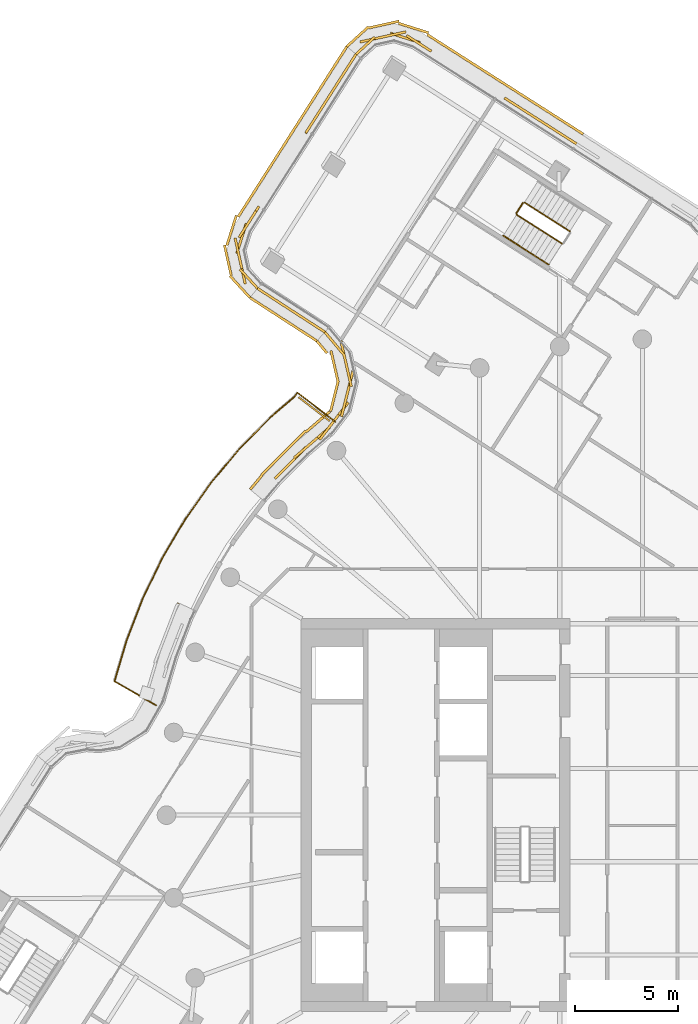
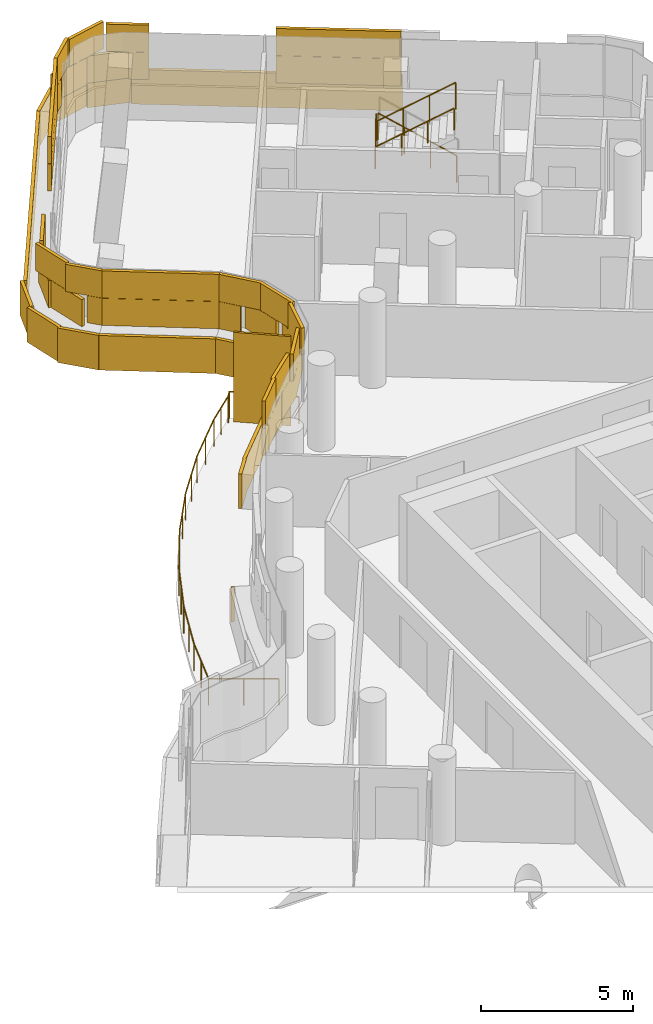
# One storey, part 25 of 27: 5 railings, 4 coverings, 1 shading device.
"""IFC4 building model written with IfcOpenShell, lengths in metres."""

from ifc_helpers import new_model, si_unit, direction, frame, origin, origin_2d, place, context, subcontext, project, spatial, rectangle, circle, extrude, material, layer, layer_set, type_object, element, save


model = new_model("IFC4")

# Units and contexts
model_context = context("Model", 3, precision=1e-05, world=origin(), true_north=direction((0.0, 1.0)))
body_context = subcontext(model_context, "Body", "Model", "MODEL_VIEW")
ifc_project = project(units=[si_unit("LENGTHUNIT", "METRE"), si_unit("AREAUNIT", "SQUARE_METRE"), si_unit("VOLUMEUNIT", "CUBIC_METRE"), si_unit("PLANEANGLEUNIT", "RADIAN"), si_unit("MASSUNIT", "GRAM", prefix="KILO")], contexts=[model_context])

# Site, building, storey
site_placement = place(None, origin())
site = spatial("IfcSite", under=ifc_project, at=site_placement, CompositionType="ELEMENT")
building_placement = place(site_placement, origin())
building = spatial("IfcBuilding", under=site, at=building_placement, Name="Tamarind Cross Interchange Tower", CompositionType="ELEMENT")
storey_placement = place(building_placement, frame((0.0, 0.0, 241.5)))
storey = spatial("IfcBuildingStorey", under=building, at=storey_placement, Name="L61", CompositionType="ELEMENT", Elevation=241.5)

# Railing
ifc_material_1 = material(Name="Stainless steel and laminated glass", Category="steel")
railing_type_1 = type_object("IfcRailingType", Name="Balcony guard", PredefinedType="BALUSTRADE", material=ifc_material_1)
railing_1_placement = place(storey_placement, frame((-14.828125, 19.00390625, 0.0)))
element("IfcRailing", 1, at=railing_1_placement, inside=storey, type_object=railing_type_1, Name="Balcony guard 06", PredefinedType="BALUSTRADE", context=body_context, shape_type="SweptSolid", body=[
    extrude(circle(Radius=0.02490234375, at=origin_2d()), frame((0.0, 0.0, 1.0751953125), z_axis=(-0.792706132609, 0.609603959406, 0.0), x_axis=(-0.609603959406, -0.792706132609, 0.0)), (0.0, 0.0, 1.0), 2.320068359375),
    extrude(circle(Radius=0.02490234375, at=origin_2d()), frame((-1.839111328125, 1.414306640625, 1.0751953125), z_axis=(-0.609163758633, -0.793044459768, 0.0), x_axis=(0.793044459768, -0.609163758633, 0.0)), (0.0, 0.0, 1.0), 0.2587890625),
    extrude(circle(Radius=0.02490234375, at=origin_2d()), frame((-1.996826171875, 1.208984375, 1.0751953125), z_axis=(-0.759582633442, -0.650410810929, 0.0), x_axis=(0.650410810929, -0.759582633442, 0.0)), (0.0, 0.0, 1.0), 1.4267578125),
    extrude(circle(Radius=0.02490234375, at=origin_2d()), frame((-3.08056640625, 0.281005859375, 1.0751953125), z_axis=(-0.704067924112, -0.710132634257, 0.0), x_axis=(0.710132634257, -0.704067924112, 0.0)), (0.0, 0.0, 1.0), 2.173828125),
    extrude(circle(Radius=0.02490234375, at=origin_2d()), frame((-4.611083984375, -1.2626953125, 1.0751953125), z_axis=(-0.642984125922, -0.765879503455, 0.0), x_axis=(0.765879503455, -0.642984125922, 0.0)), (0.0, 0.0, 1.0), 2.17529296875),
    extrude(circle(Radius=0.02490234375, at=origin_2d()), frame((-6.009765625, -2.9287109375, 1.0751953125), z_axis=(-0.577590617379, -0.81632657602, 0.0), x_axis=(0.81632657602, -0.577590617379, 0.0)), (0.0, 0.0, 1.0), 2.175048828125),
    extrude(circle(Radius=0.02490234375, at=origin_2d()), frame((-7.26611328125, -4.704345703125, 1.0751953125), z_axis=(-0.508226290333, -0.861223570169, 0.0), x_axis=(0.861223570169, -0.508226290333, 0.0)), (0.0, 0.0, 1.0), 2.175048828125),
    extrude(circle(Radius=0.02490234375, at=origin_2d()), frame((-8.37158203125, -6.57763671875, 1.0751953125), z_axis=(-0.435276325285, -0.90029690694, 0.0), x_axis=(0.90029690694, -0.435276325285, 0.0)), (0.0, 0.0, 1.0), 2.175048828125),
    extrude(circle(Radius=0.02490234375, at=origin_2d()), frame((-9.318359375, -8.535888671875, 1.0751953125), z_axis=(-0.359453841408, -0.933162866759, 0.0), x_axis=(0.933162866759, -0.359453841408, 0.0)), (0.0, 0.0, 1.0), 2.170654296875),
    extrude(circle(Radius=0.02490234375, at=origin_2d()), frame((-10.0986328125, -10.5615234375, 1.0751953125), z_axis=(-0.285064415081, -0.958508361599, 0.0), x_axis=(0.958508361599, -0.285064415081, 0.0)), (0.0, 0.0, 1.0), 2.060546875),
    extrude(circle(Radius=0.02490234375, at=origin_2d()), frame((-10.68603515625, -12.53662109375, 1.0751953125), z_axis=(0.707106781187, 0.707106781187, 0.0), x_axis=(-0.707106781187, 0.707106781187, 0.0)), (0.0, 0.0, 1.0), 0.000732421875),
    extrude(circle(Radius=0.02490234375, at=origin_2d()), frame((-10.685546875, -12.5361328125, 1.0751953125), z_axis=(0.866944955019, -0.498403897423, 0.0), x_axis=(0.498403897423, 0.866944955019, 0.0)), (0.0, 0.0, 1.0), 2.31982421875),
    extrude(circle(Radius=0.02001953125, at=origin_2d()), origin(), (0.0, 0.0, 1.0), 1.050048828125),
    extrude(circle(Radius=0.02001953125, at=origin_2d()), frame((-0.91943359375, 0.70703125, 0.0)), (0.0, 0.0, 1.0), 1.050048828125),
    extrude(circle(Radius=0.02001953125, at=origin_2d()), frame((-1.839111328125, 1.414306640625, 0.0)), (0.0, 0.0, 1.0), 1.050048828125),
    extrude(circle(Radius=0.02001953125, at=origin_2d()), frame((-1.996826171875, 1.208984375, 0.0)), (0.0, 0.0, 1.0), 1.050048828125),
    extrude(circle(Radius=0.02001953125, at=origin_2d()), frame((-2.53857421875, 0.7451171875, 0.0)), (0.0, 0.0, 1.0), 1.050048828125),
    extrude(circle(Radius=0.02001953125, at=origin_2d()), frame((-3.08056640625, 0.281005859375, 0.0)), (0.0, 0.0, 1.0), 1.050048828125),
    extrude(circle(Radius=0.02001953125, at=origin_2d()), frame((-3.845703125, -0.49072265625, 0.0)), (0.0, 0.0, 1.0), 1.050048828125),
    extrude(circle(Radius=0.02001953125, at=origin_2d()), frame((-4.611083984375, -1.2626953125, 0.0)), (0.0, 0.0, 1.0), 1.050048828125),
    extrude(circle(Radius=0.02001953125, at=origin_2d()), frame((-5.310546875, -2.095703125, 0.0)), (0.0, 0.0, 1.0), 1.050048828125),
    extrude(circle(Radius=0.02001953125, at=origin_2d()), frame((-6.009765625, -2.9287109375, 0.0)), (0.0, 0.0, 1.0), 1.050048828125),
    extrude(circle(Radius=0.02001953125, at=origin_2d()), frame((-6.637939453125, -3.81640625, 0.0)), (0.0, 0.0, 1.0), 1.050048828125),
    extrude(circle(Radius=0.02001953125, at=origin_2d()), frame((-7.26611328125, -4.704345703125, 0.0)), (0.0, 0.0, 1.0), 1.050048828125),
    extrude(circle(Radius=0.02001953125, at=origin_2d()), frame((-7.81884765625, -5.64111328125, 0.0)), (0.0, 0.0, 1.0), 1.050048828125),
    extrude(circle(Radius=0.02001953125, at=origin_2d()), frame((-8.37158203125, -6.57763671875, 0.0)), (0.0, 0.0, 1.0), 1.050048828125),
    extrude(circle(Radius=0.02001953125, at=origin_2d()), frame((-8.844970703125, -7.556640625, 0.0)), (0.0, 0.0, 1.0), 1.050048828125),
    extrude(circle(Radius=0.02001953125, at=origin_2d()), frame((-9.318359375, -8.535888671875, 0.0)), (0.0, 0.0, 1.0), 1.050048828125),
    extrude(circle(Radius=0.02001953125, at=origin_2d()), frame((-9.70849609375, -9.548828125, 0.0)), (0.0, 0.0, 1.0), 1.050048828125),
    extrude(circle(Radius=0.02001953125, at=origin_2d()), frame((-10.0986328125, -10.5615234375, 0.0)), (0.0, 0.0, 1.0), 1.050048828125),
    extrude(circle(Radius=0.02001953125, at=origin_2d()), frame((-10.392333984375, -11.549072265625, 0.0)), (0.0, 0.0, 1.0), 1.050048828125),
    extrude(circle(Radius=0.02001953125, at=origin_2d()), frame((-10.68603515625, -12.53662109375, 0.0)), (0.0, 0.0, 1.0), 1.050048828125),
    extrude(circle(Radius=0.02001953125, at=origin_2d()), frame((-10.685546875, -12.5361328125, 0.0)), (0.0, 0.0, 1.0), 1.050048828125),
    extrude(circle(Radius=0.02001953125, at=origin_2d()), frame((-9.679931640625, -13.1142578125, 0.0)), (0.0, 0.0, 1.0), 1.050048828125),
    extrude(circle(Radius=0.02001953125, at=origin_2d()), frame((-8.67431640625, -13.6923828125, 0.0)), (0.0, 0.0, 1.0), 1.050048828125),
])

# Shading device
ifc_material_2 = material(Name="Bronze-finish aluminium louvre", Category="aluminium")
ifc_layer_1 = layer(ifc_material_2, 0.080078125)
ifc_layer_set_1 = layer_set([ifc_layer_1], Name="Bronze-finish aluminium louvre")
shading_device_type = type_object("IfcShadingDeviceType", Name="Operable louvre bay", PredefinedType="JALOUSIE", material=ifc_layer_set_1)
shading_device_placement = place(storey_placement, origin())
element("IfcShadingDevice", 2, at=shading_device_placement, inside=storey, type_object=shading_device_type, Name="LVR-L61-BAL06", PredefinedType="JALOUSIE", context=body_context, shape_type="SweptSolid", body=[
    extrude(rectangle(XDim=1.89990234375, YDim=0.080078125, at=origin_2d()), frame((-15.86474609375, 19.62451171875, 0.0), z_axis=(0.0, 0.0, 1.0), x_axis=(-0.792703528134, 0.609607346153, 0.0)), (0.0, 0.0, 1.0), 3.60009765625),
])

# Railings
ifc_material_3 = material(Name="Stair guard")
railing_type_2 = type_object("IfcRailingType", Name="Stair guard", PredefinedType="GUARDRAIL", material=ifc_material_3)
railing_2_placement = place(storey_placement, frame((-3.509521484375, 28.212646484375, 0.16357421875)))
element("IfcRailing", 3, at=railing_2_placement, inside=storey, type_object=railing_type_2, Name="L61 ST4 stair guard 1", PredefinedType="GUARDRAIL", context=body_context, shape_type="SweptSolid", body=[
    extrude(circle(Radius=0.02392578125, at=origin_2d()), frame((0.0, 0.0, 1.076171875), z_axis=(-0.713499340955, 0.455135968551, 0.532700610651), x_axis=(-0.537792679654, -0.843077122042, 0.0)), (0.0, 0.0, 1.0), 3.072021484375),
    extrude(circle(Radius=0.02099609375, at=origin_2d()), origin(), (0.0, 0.0, 1.0), 1.052001953125),
    extrude(circle(Radius=0.02099609375, at=origin_2d()), frame((-0.730712890625, 0.466064453125, 0.54541015625)), (0.0, 0.0, 1.0), 1.052001953125),
    extrude(circle(Radius=0.02099609375, at=origin_2d()), frame((-1.461181640625, 0.93212890625, 1.091064453125)), (0.0, 0.0, 1.0), 1.052001953125),
    extrude(circle(Radius=0.02099609375, at=origin_2d()), frame((-2.19189453125, 1.398193359375, 1.636474609375)), (0.0, 0.0, 1.0), 1.052001953125),
])
railing_3_placement = place(storey_placement, frame((-5.7705078125, 29.595703125, 1.800048828125)))
element("IfcRailing", 4, at=railing_3_placement, inside=storey, type_object=railing_type_2, Name="L61 ST4 stair guard 2", PredefinedType="GUARDRAIL", context=body_context, shape_type="SweptSolid", body=[
    extrude(circle(Radius=0.02392578125, at=origin_2d()), frame((0.0, 0.0, 1.076171875), z_axis=(-0.537875523964, -0.84302427054, 0.0), x_axis=(0.84302427054, -0.537875523964, 0.0)), (0.0, 0.0, 1.0), 0.60009765625),
    extrude(circle(Radius=0.02099609375, at=origin_2d()), origin(), (0.0, 0.0, 1.0), 1.052001953125),
    extrude(circle(Radius=0.02099609375, at=origin_2d()), frame((-0.32275390625, -0.505859375, 0.0)), (0.0, 0.0, 1.0), 1.052001953125),
])
railing_4_placement = place(storey_placement, frame((-6.077880859375, 29.020751953125, 1.963623046875)))
element("IfcRailing", 5, at=railing_4_placement, inside=storey, type_object=railing_type_2, Name="L61 ST4 stair guard 3", PredefinedType="GUARDRAIL", context=body_context, shape_type="SweptSolid", body=[
    extrude(circle(Radius=0.02392578125, at=origin_2d()), frame((0.0, 0.0, 1.076171875), z_axis=(0.713473532438, -0.455198974583, 0.532681341939), x_axis=(0.537859420147, 0.843034545057, 0.0)), (0.0, 0.0, 1.0), 3.072265625),
    extrude(circle(Radius=0.02099609375, at=origin_2d()), origin(), (0.0, 0.0, 1.0), 1.052001953125),
    extrude(circle(Radius=0.02099609375, at=origin_2d()), frame((0.730712890625, -0.466064453125, 0.54541015625)), (0.0, 0.0, 1.0), 1.052001953125),
    extrude(circle(Radius=0.02099609375, at=origin_2d()), frame((1.461181640625, -0.932373046875, 1.091064453125)), (0.0, 0.0, 1.0), 1.052001953125),
    extrude(circle(Radius=0.02099609375, at=origin_2d()), frame((2.19189453125, -1.3984375, 1.636474609375)), (0.0, 0.0, 1.0), 1.052001953125),
])
ifc_material_4 = material(Name="Stair handrail")
railing_type_3 = type_object("IfcRailingType", Name="Stair handrail", PredefinedType="HANDRAIL", material=ifc_material_4)
railing_5_placement = place(storey_placement, frame((-6.723388671875, 28.009033203125, 1.963623046875)))
element("IfcRailing", 6, at=railing_5_placement, inside=storey, type_object=railing_type_3, Name="L61 ST4 stair handrail 2", PredefinedType="HANDRAIL", context=body_context, shape_type="SweptSolid", body=[
    extrude(circle(Radius=0.02392578125, at=origin_2d()), frame((0.0, 0.0, 0.8759765625), z_axis=(0.713499340955, -0.455135968551, 0.532700610651), x_axis=(0.537792679654, 0.843077122042, 0.0)), (0.0, 0.0, 1.0), 3.072021484375),
    extrude(circle(Radius=0.02099609375, at=origin_2d()), origin(), (0.0, 0.0, 1.0), 0.851806640625),
    extrude(circle(Radius=0.02099609375, at=origin_2d()), frame((0.730712890625, -0.466064453125, 0.54541015625)), (0.0, 0.0, 1.0), 0.851806640625),
    extrude(circle(Radius=0.02099609375, at=origin_2d()), frame((1.461181640625, -0.93212890625, 1.091064453125)), (0.0, 0.0, 1.0), 0.851806640625),
    extrude(circle(Radius=0.02099609375, at=origin_2d()), frame((2.19189453125, -1.398193359375, 1.636474609375)), (0.0, 0.0, 1.0), 0.851806640625),
])

# Coverings
ifc_material_5 = material(Name="Terracotta", Category="masonry")
ifc_layer_2 = layer(ifc_material_5, 0.1201171875)
ifc_layer_set_2 = layer_set([ifc_layer_2], Name="Terracotta")
covering_type = type_object("IfcCoveringType", Name="Terracotta baguette screen unit", PredefinedType="MOLDING", material=ifc_layer_set_2)
covering_1_placement = place(storey_placement, origin())
element("IfcCovering", 7, at=covering_1_placement, inside=storey, type_object=covering_type, Name="SCR-L61-03-01", PredefinedType="MOLDING", context=body_context, shape_type="SweptSolid", body=[
    extrude(rectangle(XDim=1.50390625, YDim=0.1201171875, at=origin_2d()), frame((-3.81201171875, 32.841796875, 1.40380859375), z_axis=(0.0, 0.0, 1.0), x_axis=(-0.843053684056, 0.537829420727, 0.0)), (0.0, 0.0, 1.0), 1.092041015625),
    extrude(rectangle(XDim=1.52001953125, YDim=0.1201171875, at=origin_2d()), frame((-5.07421875, 33.64697265625, 1.40380859375), z_axis=(0.0, 0.0, 1.0), x_axis=(-0.843053684056, 0.537829420727, 0.0)), (0.0, 0.0, 1.0), 1.092041015625),
    extrude(rectangle(XDim=1.148193359375, YDim=0.1201171875, at=origin_2d()), frame((-6.186279296875, 34.3564453125, 1.40380859375), z_axis=(0.0, 0.0, 1.0), x_axis=(-0.843053684056, 0.537829420727, 0.0)), (0.0, 0.0, 1.0), 1.092041015625),
    extrude(rectangle(XDim=0.671875, YDim=0.1201171875, at=origin_2d()), frame((-10.48583984375, 37.099365234375, 1.40380859375), z_axis=(0.0, 0.0, 1.0), x_axis=(-0.843053684056, 0.537829420727, 0.0)), (0.0, 0.0, 1.0), 1.092041015625),
    extrude(rectangle(XDim=1.52001953125, YDim=0.1201171875, at=origin_2d()), frame((-11.452880859375, 37.56103515625, 1.40380859375), z_axis=(0.0, 0.0, 1.0), x_axis=(-0.953527823478, 0.301304978141, 0.0)), (0.0, 0.0, 1.0), 1.092041015625),
    extrude(rectangle(XDim=1.52001953125, YDim=0.1201171875, at=origin_2d()), frame((-12.904541015625, 37.52978515625, 1.40380859375), z_axis=(0.0, 0.0, 1.0), x_axis=(-0.976431807418, -0.215826146382, 0.0)), (0.0, 0.0, 1.0), 1.092041015625),
    extrude(rectangle(XDim=0.48046875, YDim=0.1201171875, at=origin_2d()), frame((-13.6669921875, 36.933349609375, 1.40380859375), z_axis=(0.0, 0.0, 1.0), x_axis=(-0.737701677096, -0.675126829277, 0.0)), (0.0, 0.0, 1.0), 1.092041015625),
    extrude(rectangle(XDim=0.75390625, YDim=0.1201171875, at=origin_2d()), frame((-3.495849609375, 32.64013671875, 2.50390625), z_axis=(0.0, 0.0, 1.0), x_axis=(-0.843053684056, 0.537829420727, 0.0)), (0.0, 0.0, 1.0), 1.092041015625),
    extrude(rectangle(XDim=1.52001953125, YDim=0.1201171875, at=origin_2d()), frame((-4.44189453125, 33.24365234375, 2.50390625), z_axis=(0.0, 0.0, 1.0), x_axis=(-0.843053684056, 0.537829420727, 0.0)), (0.0, 0.0, 1.0), 1.092041015625),
    extrude(rectangle(XDim=1.52001953125, YDim=0.1201171875, at=origin_2d()), frame((-5.70654296875, 34.05029296875, 2.50390625), z_axis=(0.0, 0.0, 1.0), x_axis=(-0.843053684056, 0.537829420727, 0.0)), (0.0, 0.0, 1.0), 1.092041015625),
    extrude(rectangle(XDim=0.398193359375, YDim=0.1201171875, at=origin_2d()), frame((-6.50244140625, 34.55810546875, 2.50390625), z_axis=(0.0, 0.0, 1.0), x_axis=(-0.843053684056, 0.537829420727, 0.0)), (0.0, 0.0, 1.0), 1.092041015625),
    extrude(rectangle(XDim=1.421875, YDim=0.1201171875, at=origin_2d()), frame((-10.802001953125, 37.301025390625, 2.50390625), z_axis=(0.0, 0.0, 1.0), x_axis=(-0.843053684056, 0.537829420727, 0.0)), (0.0, 0.0, 1.0), 1.092041015625),
    extrude(rectangle(XDim=1.52001953125, YDim=0.1201171875, at=origin_2d()), frame((-12.17236328125, 37.691650390625, 2.50390625), z_axis=(0.0, 0.0, 1.0), x_axis=(-0.976431807418, -0.215826146382, 0.0)), (0.0, 0.0, 1.0), 1.092041015625),
    extrude(rectangle(XDim=1.23046875, YDim=0.1201171875, at=origin_2d()), frame((-13.390380859375, 37.1865234375, 2.50390625), z_axis=(0.0, 0.0, 1.0), x_axis=(-0.737701677096, -0.675126829277, 0.0)), (0.0, 0.0, 1.0), 1.092041015625),
    extrude(rectangle(XDim=1.43896484375, YDim=0.1201171875, at=origin_2d()), frame((-3.46875, 33.3037109375, 0.00390625), z_axis=(0.0, 0.0, 1.0), x_axis=(-0.843053684056, 0.537829420727, 0.0)), (0.0, 0.0, 1.0), 1.39208984375),
    extrude(rectangle(XDim=1.52001953125, YDim=0.1201171875, at=origin_2d()), frame((-4.69921875, 34.088623046875, 0.00390625), z_axis=(0.0, 0.0, 1.0), x_axis=(-0.843053684056, 0.537829420727, 0.0)), (0.0, 0.0, 1.0), 1.39208984375),
    extrude(rectangle(XDim=1.52001953125, YDim=0.1201171875, at=origin_2d()), frame((-5.9638671875, 34.8955078125, 0.00390625), z_axis=(0.0, 0.0, 1.0), x_axis=(-0.843053684056, 0.537829420727, 0.0)), (0.0, 0.0, 1.0), 1.39208984375),
    extrude(rectangle(XDim=1.52001953125, YDim=0.1201171875, at=origin_2d()), frame((-7.228271484375, 35.7021484375, 0.00390625), z_axis=(0.0, 0.0, 1.0), x_axis=(-0.843053684056, 0.537829420727, 0.0)), (0.0, 0.0, 1.0), 1.39208984375),
    extrude(rectangle(XDim=1.52001953125, YDim=0.1201171875, at=origin_2d()), frame((-8.492919921875, 36.5087890625, 0.00390625), z_axis=(0.0, 0.0, 1.0), x_axis=(-0.843053684056, 0.537829420727, 0.0)), (0.0, 0.0, 1.0), 1.39208984375),
    extrude(rectangle(XDim=1.52001953125, YDim=0.1201171875, at=origin_2d()), frame((-9.757568359375, 37.315673828125, 0.00390625), z_axis=(0.0, 0.0, 1.0), x_axis=(-0.843053684056, 0.537829420727, 0.0)), (0.0, 0.0, 1.0), 1.39208984375),
    extrude(rectangle(XDim=1.52001953125, YDim=0.1201171875, at=origin_2d()), frame((-11.06103515625, 38.039306640625, 0.00390625), z_axis=(0.0, 0.0, 1.0), x_axis=(-0.953527823478, 0.301304978141, 0.0)), (0.0, 0.0, 1.0), 1.39208984375),
    extrude(rectangle(XDim=1.52001953125, YDim=0.1201171875, at=origin_2d()), frame((-12.50390625, 38.206298828125, 0.00390625), z_axis=(0.0, 0.0, 1.0), x_axis=(-0.976431807418, -0.215826146382, 0.0)), (0.0, 0.0, 1.0), 1.39208984375),
    extrude(rectangle(XDim=1.40087890625, YDim=0.1201171875, at=origin_2d()), frame((-13.76708984375, 37.61962890625, 0.00390625), z_axis=(0.0, 0.0, 1.0), x_axis=(-0.737701677096, -0.675126829277, 0.0)), (0.0, 0.0, 1.0), 1.39208984375),
])
covering_2_placement = place(storey_placement, origin())
element("IfcCovering", 8, at=covering_2_placement, inside=storey, type_object=covering_type, Name="SCR-L61-04-00", PredefinedType="MOLDING", context=body_context, shape_type="SweptSolid", body=[
    extrude(rectangle(XDim=0.760009765625, YDim=0.1201171875, at=origin_2d()), frame((-14.042236328125, 36.458251953125, 1.40380859375), z_axis=(0.0, 0.0, 1.0), x_axis=(-0.537829420727, -0.843053684056, 0.0)), (0.0, 0.0, 1.0), 1.092041015625),
    extrude(rectangle(XDim=1.52001953125, YDim=0.1201171875, at=origin_2d()), frame((-14.647216796875, 35.509765625, 1.40380859375), z_axis=(0.0, 0.0, 1.0), x_axis=(-0.537829420727, -0.843053684056, 0.0)), (0.0, 0.0, 1.0), 1.092041015625),
    extrude(rectangle(XDim=1.52001953125, YDim=0.1201171875, at=origin_2d()), frame((-15.453857421875, 34.245361328125, 1.40380859375), z_axis=(0.0, 0.0, 1.0), x_axis=(-0.537829420727, -0.843053684056, 0.0)), (0.0, 0.0, 1.0), 1.092041015625),
    extrude(rectangle(XDim=0.78466796875, YDim=0.1201171875, at=origin_2d()), frame((-16.065673828125, 33.286376953125, 1.40380859375), z_axis=(0.0, 0.0, 1.0), x_axis=(-0.537829420727, -0.843053684056, 0.0)), (0.0, 0.0, 1.0), 1.092041015625),
    extrude(rectangle(XDim=1.035400390625, YDim=0.1201171875, at=origin_2d()), frame((-18.80859375, 28.98681640625, 1.40380859375), z_axis=(0.0, 0.0, 1.0), x_axis=(-0.537829420727, -0.843053684056, 0.0)), (0.0, 0.0, 1.0), 1.092041015625),
    extrude(rectangle(XDim=1.52001953125, YDim=0.1201171875, at=origin_2d()), frame((-19.375, 27.869873046875, 1.40380859375), z_axis=(0.0, 0.0, 1.0), x_axis=(-0.301304978141, -0.953527823478, 0.0)), (0.0, 0.0, 1.0), 1.092041015625),
    extrude(rectangle(XDim=1.52001953125, YDim=0.1201171875, at=origin_2d()), frame((-19.35888671875, 26.418701171875, 1.40380859375), z_axis=(0.0, 0.0, 1.0), x_axis=(0.215826146382, -0.976431807418, 0.0)), (0.0, 0.0, 1.0), 1.092041015625),
    extrude(rectangle(XDim=0.50927734375, YDim=0.1201171875, at=origin_2d()), frame((-18.765869140625, 25.638671875, 1.40380859375), z_axis=(0.0, 0.0, 1.0), x_axis=(0.675126829277, -0.737701677096, 0.0)), (0.0, 0.0, 1.0), 1.092041015625),
    extrude(rectangle(XDim=1.510009765625, YDim=0.1201171875, at=origin_2d()), frame((-14.243896484375, 36.14208984375, 2.50390625), z_axis=(0.0, 0.0, 1.0), x_axis=(-0.537829420727, -0.843053684056, 0.0)), (0.0, 0.0, 1.0), 1.092041015625),
    extrude(rectangle(XDim=1.52001953125, YDim=0.1201171875, at=origin_2d()), frame((-15.050537109375, 34.877685546875, 2.50390625), z_axis=(0.0, 0.0, 1.0), x_axis=(-0.537829420727, -0.843053684056, 0.0)), (0.0, 0.0, 1.0), 1.092041015625),
    extrude(rectangle(XDim=1.52001953125, YDim=0.1201171875, at=origin_2d()), frame((-15.857421875, 33.613037109375, 2.50390625), z_axis=(0.0, 0.0, 1.0), x_axis=(-0.537829420727, -0.843053684056, 0.0)), (0.0, 0.0, 1.0), 1.092041015625),
    extrude(rectangle(XDim=1.52001953125, YDim=0.1201171875, at=origin_2d()), frame((-19.084228515625, 28.5546875, 2.50390625), z_axis=(0.0, 0.0, 1.0), x_axis=(-0.537829420727, -0.843053684056, 0.0)), (0.0, 0.0, 1.0), 1.092041015625),
    extrude(rectangle(XDim=1.52001953125, YDim=0.1201171875, at=origin_2d()), frame((-19.520751953125, 27.151123046875, 2.50390625), z_axis=(0.0, 0.0, 1.0), x_axis=(0.215826146382, -0.976431807418, 0.0)), (0.0, 0.0, 1.0), 1.092041015625),
    extrude(rectangle(XDim=1.25927734375, YDim=0.1201171875, at=origin_2d()), frame((-19.01904296875, 25.915283203125, 2.50390625), z_axis=(0.0, 0.0, 1.0), x_axis=(0.675126829277, -0.737701677096, 0.0)), (0.0, 0.0, 1.0), 1.092041015625),
    extrude(rectangle(XDim=0.760009765625, YDim=0.1201171875, at=origin_2d()), frame((-14.488037109375, 36.826416015625, 0.00390625), z_axis=(0.0, 0.0, 1.0), x_axis=(-0.537829420727, -0.843053684056, 0.0)), (0.0, 0.0, 1.0), 1.39208984375),
    extrude(rectangle(XDim=1.52001953125, YDim=0.1201171875, at=origin_2d()), frame((-15.090576171875, 35.88232421875, 0.00390625), z_axis=(0.0, 0.0, 1.0), x_axis=(-0.537829420727, -0.843053684056, 0.0)), (0.0, 0.0, 1.0), 1.39208984375),
    extrude(rectangle(XDim=1.52001953125, YDim=0.1201171875, at=origin_2d()), frame((-15.897216796875, 34.61767578125, 0.00390625), z_axis=(0.0, 0.0, 1.0), x_axis=(-0.537829420727, -0.843053684056, 0.0)), (0.0, 0.0, 1.0), 1.39208984375),
    extrude(rectangle(XDim=1.52001953125, YDim=0.1201171875, at=origin_2d()), frame((-16.703857421875, 33.35302734375, 0.00390625), z_axis=(0.0, 0.0, 1.0), x_axis=(-0.537829420727, -0.843053684056, 0.0)), (0.0, 0.0, 1.0), 1.39208984375),
    extrude(rectangle(XDim=1.52001953125, YDim=0.1201171875, at=origin_2d()), frame((-17.5107421875, 32.088623046875, 0.00390625), z_axis=(0.0, 0.0, 1.0), x_axis=(-0.537829420727, -0.843053684056, 0.0)), (0.0, 0.0, 1.0), 1.39208984375),
    extrude(rectangle(XDim=1.52001953125, YDim=0.1201171875, at=origin_2d()), frame((-18.3173828125, 30.823974609375, 0.00390625), z_axis=(0.0, 0.0, 1.0), x_axis=(-0.537829420727, -0.843053684056, 0.0)), (0.0, 0.0, 1.0), 1.39208984375),
    extrude(rectangle(XDim=1.52001953125, YDim=0.1201171875, at=origin_2d()), frame((-19.124267578125, 29.559326171875, 0.00390625), z_axis=(0.0, 0.0, 1.0), x_axis=(-0.537829420727, -0.843053684056, 0.0)), (0.0, 0.0, 1.0), 1.39208984375),
    extrude(rectangle(XDim=1.52001953125, YDim=0.1201171875, at=origin_2d()), frame((-19.85400390625, 28.2587890625, 0.00390625), z_axis=(0.0, 0.0, 1.0), x_axis=(-0.301304978141, -0.953527823478, 0.0)), (0.0, 0.0, 1.0), 1.39208984375),
    extrude(rectangle(XDim=1.52001953125, YDim=0.1201171875, at=origin_2d()), frame((-20.03466796875, 26.816650390625, 0.00390625), z_axis=(0.0, 0.0, 1.0), x_axis=(0.215826146382, -0.976431807418, 0.0)), (0.0, 0.0, 1.0), 1.39208984375),
    extrude(rectangle(XDim=1.4248046875, YDim=0.1201171875, at=origin_2d()), frame((-19.4521484375, 25.538330078125, 0.00390625), z_axis=(0.0, 0.0, 1.0), x_axis=(0.675126829277, -0.737701677096, 0.0)), (0.0, 0.0, 1.0), 1.39208984375),
])
covering_3_placement = place(storey_placement, origin())
element("IfcCovering", 9, at=covering_3_placement, inside=storey, type_object=covering_type, Name="SCR-L61-05-00", PredefinedType="MOLDING", context=body_context, shape_type="SweptSolid", body=[
    extrude(rectangle(XDim=0.760009765625, YDim=0.1201171875, at=origin_2d()), frame((-18.28271484375, 25.25048828125, 1.40380859375), z_axis=(0.0, 0.0, 1.0), x_axis=(0.839266232638, -0.543720691858, 0.0)), (0.0, 0.0, 1.0), 1.092041015625),
    extrude(rectangle(XDim=1.52001953125, YDim=0.1201171875, at=origin_2d()), frame((-17.338623046875, 24.638916015625, 1.40380859375), z_axis=(0.0, 0.0, 1.0), x_axis=(0.839266232638, -0.543720691858, 0.0)), (0.0, 0.0, 1.0), 1.092041015625),
    extrude(rectangle(XDim=1.52001953125, YDim=0.1201171875, at=origin_2d()), frame((-16.07958984375, 23.8232421875, 1.40380859375), z_axis=(0.0, 0.0, 1.0), x_axis=(0.839266232638, -0.543720691858, 0.0)), (0.0, 0.0, 1.0), 1.092041015625),
    extrude(rectangle(XDim=0.1318359375, YDim=0.1201171875, at=origin_2d()), frame((-15.39892578125, 23.38232421875, 1.40380859375), z_axis=(0.0, 0.0, 1.0), x_axis=(0.839266232638, -0.543720691858, 0.0)), (0.0, 0.0, 1.0), 1.092041015625),
    extrude(rectangle(XDim=1.510009765625, YDim=0.1201171875, at=origin_2d()), frame((-17.968017578125, 25.046630859375, 2.50390625), z_axis=(0.0, 0.0, 1.0), x_axis=(0.839266232638, -0.543720691858, 0.0)), (0.0, 0.0, 1.0), 1.092041015625),
    extrude(rectangle(XDim=1.52001953125, YDim=0.1201171875, at=origin_2d()), frame((-16.708984375, 24.231201171875, 2.50390625), z_axis=(0.0, 0.0, 1.0), x_axis=(0.839266232638, -0.543720691858, 0.0)), (0.0, 0.0, 1.0), 1.092041015625),
    extrude(rectangle(XDim=0.8818359375, YDim=0.1201171875, at=origin_2d()), frame((-15.7138671875, 23.586181640625, 2.50390625), z_axis=(0.0, 0.0, 1.0), x_axis=(0.839266232638, -0.543720691858, 0.0)), (0.0, 0.0, 1.0), 1.092041015625),
    extrude(rectangle(XDim=0.760009765625, YDim=0.1201171875, at=origin_2d()), frame((-18.65234375, 24.80615234375, 0.00390625), z_axis=(0.0, 0.0, 1.0), x_axis=(0.839266232638, -0.543720691858, 0.0)), (0.0, 0.0, 1.0), 1.39208984375),
    extrude(rectangle(XDim=1.52001953125, YDim=0.1201171875, at=origin_2d()), frame((-17.71240234375, 24.197265625, 0.00390625), z_axis=(0.0, 0.0, 1.0), x_axis=(0.839266232638, -0.543720691858, 0.0)), (0.0, 0.0, 1.0), 1.39208984375),
    extrude(rectangle(XDim=1.52001953125, YDim=0.1201171875, at=origin_2d()), frame((-16.453369140625, 23.381591796875, 0.00390625), z_axis=(0.0, 0.0, 1.0), x_axis=(0.839266232638, -0.543720691858, 0.0)), (0.0, 0.0, 1.0), 1.39208984375),
    extrude(rectangle(XDim=0.119140625, YDim=0.1201171875, at=origin_2d()), frame((-15.782470703125, 22.94677734375, 0.00390625), z_axis=(0.0, 0.0, 1.0), x_axis=(0.839266232638, -0.543720691858, 0.0)), (0.0, 0.0, 1.0), 1.39208984375),
])
covering_4_placement = place(storey_placement, origin())
element("IfcCovering", 10, at=covering_4_placement, inside=storey, type_object=covering_type, Name="SCR-L61-06-00", PredefinedType="MOLDING", context=body_context, shape_type="SweptSolid", body=[
    extrude(rectangle(XDim=0.760009765625, YDim=0.1201171875, at=origin_2d()), frame((-15.10693359375, 23.06201171875, 1.40380859375), z_axis=(0.0, 0.0, 1.0), x_axis=(0.642499660956, -0.766285968599, 0.0)), (0.0, 0.0, 1.0), 1.092041015625),
    extrude(rectangle(XDim=1.52001953125, YDim=0.1201171875, at=origin_2d()), frame((-14.404541015625, 22.189697265625, 1.40380859375), z_axis=(0.0, 0.0, 1.0), x_axis=(0.222005846966, -0.975045334286, 0.0)), (0.0, 0.0, 1.0), 1.092041015625),
    extrude(rectangle(XDim=1.52001953125, YDim=0.1201171875, at=origin_2d()), frame((-14.17431640625, 20.728271484375, 1.40380859375), z_axis=(0.0, 0.0, 1.0), x_axis=(-0.241470337411, -0.970408200785, 0.0)), (0.0, 0.0, 1.0), 1.092041015625),
    extrude(rectangle(XDim=1.52001953125, YDim=0.1201171875, at=origin_2d()), frame((-14.681396484375, 19.342529296875, 1.40380859375), z_axis=(0.0, 0.0, 1.0), x_axis=(-0.609607346153, -0.792703528134, 0.0)), (0.0, 0.0, 1.0), 1.092041015625),
    extrude(rectangle(XDim=1.52001953125, YDim=0.1201171875, at=origin_2d()), frame((-15.693359375, 18.24609375, 1.40380859375), z_axis=(0.0, 0.0, 1.0), x_axis=(-0.7595663004, -0.650429884997, 0.0)), (0.0, 0.0, 1.0), 1.092041015625),
    extrude(rectangle(XDim=1.52001953125, YDim=0.1201171875, at=origin_2d()), frame((-16.80029296875, 17.235595703125, 1.40380859375), z_axis=(0.0, 0.0, 1.0), x_axis=(-0.704057148523, -0.710143317658, 0.0)), (0.0, 0.0, 1.0), 1.092041015625),
    extrude(rectangle(XDim=0.6142578125, YDim=0.1201171875, at=origin_2d()), frame((-17.541015625, 16.488525390625, 1.40380859375), z_axis=(0.0, 0.0, 1.0), x_axis=(-0.704057148523, -0.710143317658, 0.0)), (0.0, 0.0, 1.0), 1.092041015625),
    extrude(rectangle(XDim=1.510009765625, YDim=0.1201171875, at=origin_2d()), frame((-14.865966796875, 22.774658203125, 2.50390625), z_axis=(0.0, 0.0, 1.0), x_axis=(0.642499660956, -0.766285968599, 0.0)), (0.0, 0.0, 1.0), 1.092041015625),
    extrude(rectangle(XDim=1.52001953125, YDim=0.1201171875, at=origin_2d()), frame((-14.238037109375, 21.45849609375, 2.50390625), z_axis=(0.0, 0.0, 1.0), x_axis=(0.222005846966, -0.975045334286, 0.0)), (0.0, 0.0, 1.0), 1.092041015625),
    extrude(rectangle(XDim=1.52001953125, YDim=0.1201171875, at=origin_2d()), frame((-14.35546875, 20.00048828125, 2.50390625), z_axis=(0.0, 0.0, 1.0), x_axis=(-0.241470337411, -0.970408200785, 0.0)), (0.0, 0.0, 1.0), 1.092041015625),
    extrude(rectangle(XDim=1.52001953125, YDim=0.1201171875, at=origin_2d()), frame((-15.138427734375, 18.747802734375, 2.50390625), z_axis=(0.0, 0.0, 1.0), x_axis=(-0.609607346153, -0.792703528134, 0.0)), (0.0, 0.0, 1.0), 1.092041015625),
    extrude(rectangle(XDim=1.52001953125, YDim=0.1201171875, at=origin_2d()), frame((-16.26318359375, 17.75830078125, 2.50390625), z_axis=(0.0, 0.0, 1.0), x_axis=(-0.7595663004, -0.650429884997, 0.0)), (0.0, 0.0, 1.0), 1.092041015625),
    extrude(rectangle(XDim=1.3642578125, YDim=0.1201171875, at=origin_2d()), frame((-17.277099609375, 16.754638671875, 2.50390625), z_axis=(0.0, 0.0, 1.0), x_axis=(-0.704057148523, -0.710143317658, 0.0)), (0.0, 0.0, 1.0), 1.092041015625),
    extrude(rectangle(XDim=0.760009765625, YDim=0.1201171875, at=origin_2d()), frame((-15.48828125, 22.623291015625, 0.00390625), z_axis=(0.0, 0.0, 1.0), x_axis=(0.642499660956, -0.766285968599, 0.0)), (0.0, 0.0, 1.0), 1.39208984375),
    extrude(rectangle(XDim=1.52001953125, YDim=0.1201171875, at=origin_2d()), frame((-14.883544921875, 21.7080078125, 0.00390625), z_axis=(0.0, 0.0, 1.0), x_axis=(0.222005846966, -0.975045334286, 0.0)), (0.0, 0.0, 1.0), 1.39208984375),
    extrude(rectangle(XDim=1.52001953125, YDim=0.1201171875, at=origin_2d()), frame((-14.88525390625, 20.248779296875, 0.00390625), z_axis=(0.0, 0.0, 1.0), x_axis=(-0.241470337411, -0.970408200785, 0.0)), (0.0, 0.0, 1.0), 1.39208984375),
    extrude(rectangle(XDim=1.52001953125, YDim=0.1201171875, at=origin_2d()), frame((-15.683837890625, 19.010009765625, 0.00390625), z_axis=(0.0, 0.0, 1.0), x_axis=(-0.7595663004, -0.650429884997, 0.0)), (0.0, 0.0, 1.0), 1.39208984375),
    extrude(rectangle(XDim=1.52001953125, YDim=0.1201171875, at=origin_2d()), frame((-16.820068359375, 18.031005859375, 0.00390625), z_axis=(0.0, 0.0, 1.0), x_axis=(-0.704057148523, -0.710143317658, 0.0)), (0.0, 0.0, 1.0), 1.39208984375),
    extrude(rectangle(XDim=1.52001953125, YDim=0.1201171875, at=origin_2d()), frame((-17.876220703125, 16.965576171875, 0.00390625), z_axis=(0.0, 0.0, 1.0), x_axis=(-0.704057148523, -0.710143317658, 0.0)), (0.0, 0.0, 1.0), 1.39208984375),
    extrude(rectangle(XDim=0.89404296875, YDim=0.1201171875, at=origin_2d()), frame((-18.668701171875, 16.08349609375, 0.00390625), z_axis=(0.0, 0.0, 1.0), x_axis=(-0.643009266048, -0.765858396687, 0.0)), (0.0, 0.0, 1.0), 1.39208984375),
    extrude(rectangle(XDim=0.03076171875, YDim=0.1201171875, at=origin_2d()), frame((-22.41748046875, 10.23974609375, 0.00390625), z_axis=(0.0, 0.0, 1.0), x_axis=(-0.435326231914, -0.900272776334, 0.0)), (0.0, 0.0, 1.0), 1.39208984375),
])

save(model, "model.ifc")
